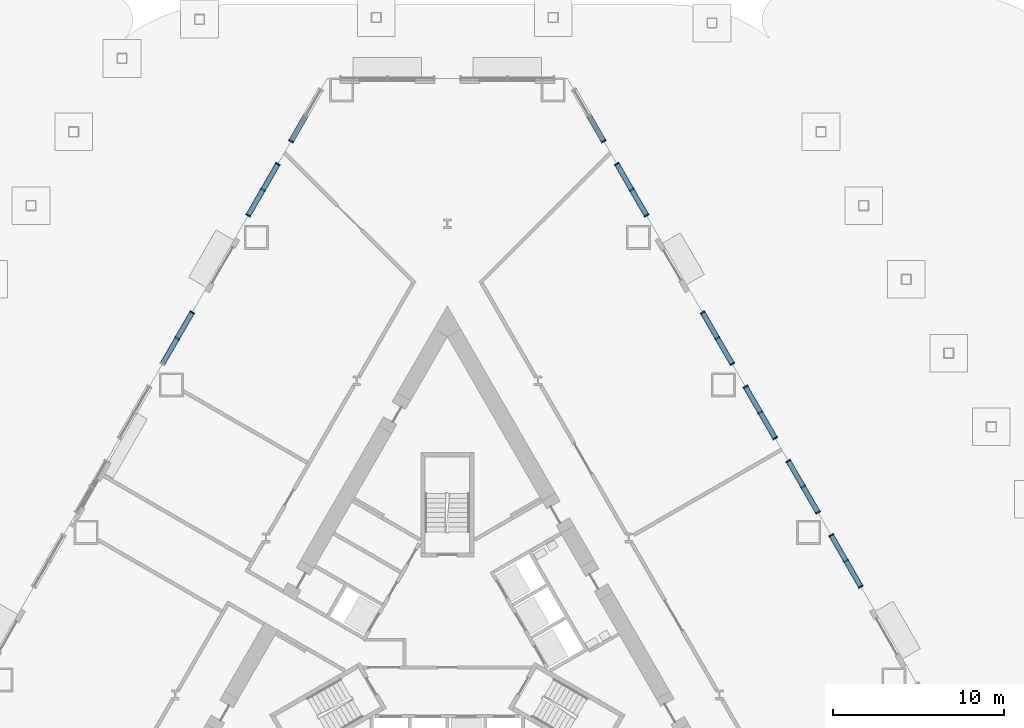
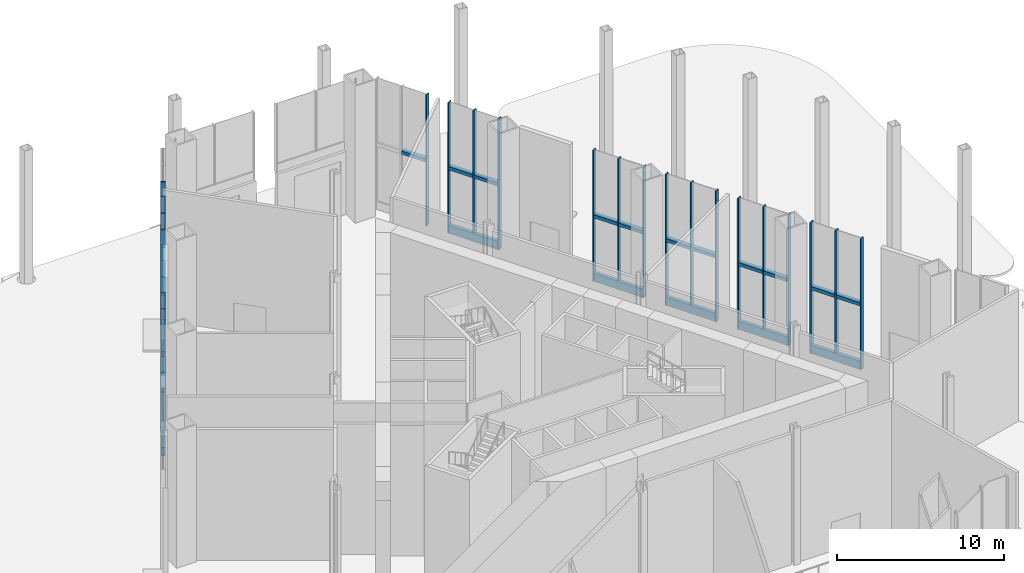
# One storey, part 4 of 18: 45 members, 9 elements without a shape of their own.
"""IFC4 building model written with IfcOpenShell, lengths in metres."""

from ifc_helpers import new_model, si_unit, direction, frame, origin, origin_2d, place, context, subcontext, project, spatial, rectangle, extrude, material, layer, layer_set, material_profile, profile_set, type_object, element, aggregate, save


model = new_model("IFC4")

# Units and contexts
model_context = context("Model", 3, precision=1e-05, world=origin(), true_north=direction((0.0, 1.0)))
body_context = subcontext(model_context, "Body", "Model", "MODEL_VIEW")
ifc_project = project(units=[si_unit("LENGTHUNIT", "METRE"), si_unit("AREAUNIT", "SQUARE_METRE"), si_unit("VOLUMEUNIT", "CUBIC_METRE"), si_unit("PLANEANGLEUNIT", "RADIAN"), si_unit("MASSUNIT", "GRAM", prefix="KILO")], contexts=[model_context])

# Site, building, storey
site_placement = place(None, origin())
site = spatial("IfcSite", under=ifc_project, at=site_placement, CompositionType="ELEMENT")
building_placement = place(site_placement, origin())
building = spatial("IfcBuilding", under=site, at=building_placement, Name="Cormorant Prow Tower", CompositionType="ELEMENT")
storey_placement = place(building_placement, origin())
storey = spatial("IfcBuildingStorey", under=building, at=storey_placement, Name="L00", CompositionType="ELEMENT", Elevation=0.0)

# Curtain wall, members
ifc_material_1 = material(Name="Aluminium 6063-T6", Category="aluminium")
ifc_layer = layer(ifc_material_1, 0.300048828125)
ifc_layer_set = layer_set([ifc_layer], Name="Aluminium 6063-T6")
curtain_wall_type = type_object("IfcCurtainWallType", Name="Concourse unitised curtain wall 300", PredefinedType="NOTDEFINED", material=ifc_layer_set)
curtain_wall_1_placement = place(storey_placement, origin())
curtain_wall_1 = element("IfcCurtainWall", 1, at=curtain_wall_1_placement, inside=storey, type_object=curtain_wall_type, Name="Concourse curtain wall ENE03", PredefinedType="NOTDEFINED")
ifc_material_2 = material(Name="Aluminium 6063-T6", Category="aluminium")
ifc_material_profile_1 = material_profile(ifc_material_2, rectangle(XDim=0.300048828125, YDim=0.239990234375, at=origin_2d()), Name="Concourse intermediate transom 300x240")
ifc_profile_set_1 = profile_set([ifc_material_profile_1], Name="Aluminium 6063-T6")
member_type_1 = type_object("IfcMemberType", Name="Concourse intermediate transom 300x240", PredefinedType="USERDEFINED", material=ifc_profile_set_1)
member_1_placement = place(storey_placement, frame((24.094970703125, 3.299560546875, 4.77490234375), z_axis=(-0.499974350878, 0.866040211805, 0.0), x_axis=(-0.866040211805, -0.499974350878, 0.0)))
member_1 = element("IfcMember", 2, at=member_1_placement, type_object=member_type_1, Name="Concourse intermediate transom ENE03", ObjectType="TRANSOM", PredefinedType="USERDEFINED", context=body_context, shape_type="SweptSolid", body=[
    extrude(rectangle(XDim=0.300048828125, YDim=0.239990234375, at=origin_2d()), origin(), (0.0, 0.0, 1.0), 1.64990234375),
])
member_2_placement = place(storey_placement, frame((23.22998046875, 4.7978515625, 4.77490234375), z_axis=(-0.499974350878, 0.866040211805, 0.0), x_axis=(-0.866040211805, -0.499974350878, 0.0)))
member_2 = element("IfcMember", 3, at=member_2_placement, type_object=member_type_1, Name="Concourse intermediate transom ENE03", ObjectType="TRANSOM", PredefinedType="USERDEFINED", context=body_context, shape_type="SweptSolid", body=[
    extrude(rectangle(XDim=0.300048828125, YDim=0.239990234375, at=origin_2d()), origin(), (0.0, 0.0, 1.0), 1.64990234375),
])

curtain_wall_2_placement = place(storey_placement, origin())
curtain_wall_2 = element("IfcCurtainWall", 4, at=curtain_wall_2_placement, inside=storey, type_object=curtain_wall_type, Name="Concourse curtain wall ENE04", PredefinedType="NOTDEFINED")
member_3_placement = place(storey_placement, frame((21.594970703125, 7.629638671875, 4.77490234375), z_axis=(-0.499974350878, 0.866040211805, 0.0), x_axis=(-0.866040211805, -0.499974350878, 0.0)))
member_3 = element("IfcMember", 5, at=member_3_placement, type_object=member_type_1, Name="Concourse intermediate transom ENE04", ObjectType="TRANSOM", PredefinedType="USERDEFINED", context=body_context, shape_type="SweptSolid", body=[
    extrude(rectangle(XDim=0.300048828125, YDim=0.239990234375, at=origin_2d()), origin(), (0.0, 0.0, 1.0), 1.64990234375),
])
member_4_placement = place(storey_placement, frame((20.72998046875, 9.1279296875, 4.77490234375), z_axis=(-0.499974350878, 0.866040211805, 0.0), x_axis=(-0.866040211805, -0.499974350878, 0.0)))
member_4 = element("IfcMember", 6, at=member_4_placement, type_object=member_type_1, Name="Concourse intermediate transom ENE04", ObjectType="TRANSOM", PredefinedType="USERDEFINED", context=body_context, shape_type="SweptSolid", body=[
    extrude(rectangle(XDim=0.300048828125, YDim=0.239990234375, at=origin_2d()), origin(), (0.0, 0.0, 1.0), 1.64990234375),
])

curtain_wall_3_placement = place(storey_placement, origin())
curtain_wall_3 = element("IfcCurtainWall", 7, at=curtain_wall_3_placement, inside=storey, type_object=curtain_wall_type, Name="Concourse curtain wall ENE05", PredefinedType="NOTDEFINED")
member_5_placement = place(storey_placement, frame((19.094970703125, 11.959716796875, 4.77490234375), z_axis=(-0.499974350878, 0.866040211805, 0.0), x_axis=(-0.866040211805, -0.499974350878, 0.0)))
member_5 = element("IfcMember", 8, at=member_5_placement, type_object=member_type_1, Name="Concourse intermediate transom ENE05", ObjectType="TRANSOM", PredefinedType="USERDEFINED", context=body_context, shape_type="SweptSolid", body=[
    extrude(rectangle(XDim=0.300048828125, YDim=0.239990234375, at=origin_2d()), origin(), (0.0, 0.0, 1.0), 1.64990234375),
])
member_6_placement = place(storey_placement, frame((18.22998046875, 13.4580078125, 4.77490234375), z_axis=(-0.499974350878, 0.866040211805, 0.0), x_axis=(-0.866040211805, -0.499974350878, 0.0)))
member_6 = element("IfcMember", 9, at=member_6_placement, type_object=member_type_1, Name="Concourse intermediate transom ENE05", ObjectType="TRANSOM", PredefinedType="USERDEFINED", context=body_context, shape_type="SweptSolid", body=[
    extrude(rectangle(XDim=0.300048828125, YDim=0.239990234375, at=origin_2d()), origin(), (0.0, 0.0, 1.0), 1.64990234375),
])

curtain_wall_4_placement = place(storey_placement, origin())
curtain_wall_4 = element("IfcCurtainWall", 10, at=curtain_wall_4_placement, inside=storey, type_object=curtain_wall_type, Name="Concourse curtain wall ENE06", PredefinedType="NOTDEFINED")
member_7_placement = place(storey_placement, frame((16.594970703125, 16.2900390625, 4.77490234375), z_axis=(-0.499974350878, 0.866040211805, 0.0), x_axis=(-0.866040211805, -0.499974350878, 0.0)))
member_7 = element("IfcMember", 11, at=member_7_placement, type_object=member_type_1, Name="Concourse intermediate transom ENE06", ObjectType="TRANSOM", PredefinedType="USERDEFINED", context=body_context, shape_type="SweptSolid", body=[
    extrude(rectangle(XDim=0.300048828125, YDim=0.239990234375, at=origin_2d()), origin(), (0.0, 0.0, 1.0), 1.64990234375),
])
member_8_placement = place(storey_placement, frame((15.72998046875, 17.7880859375, 4.77490234375), z_axis=(-0.499974350878, 0.866040211805, 0.0), x_axis=(-0.866040211805, -0.499974350878, 0.0)))
member_8 = element("IfcMember", 12, at=member_8_placement, type_object=member_type_1, Name="Concourse intermediate transom ENE06", ObjectType="TRANSOM", PredefinedType="USERDEFINED", context=body_context, shape_type="SweptSolid", body=[
    extrude(rectangle(XDim=0.300048828125, YDim=0.239990234375, at=origin_2d()), origin(), (0.0, 0.0, 1.0), 1.64990234375),
])

curtain_wall_5_placement = place(storey_placement, origin())
curtain_wall_5 = element("IfcCurtainWall", 13, at=curtain_wall_5_placement, inside=storey, type_object=curtain_wall_type, Name="Concourse curtain wall ENE08", PredefinedType="NOTDEFINED")
member_9_placement = place(storey_placement, frame((11.594970703125, 24.9501953125, 4.77490234375), z_axis=(-0.499974350878, 0.866040211805, 0.0), x_axis=(-0.866040211805, -0.499974350878, 0.0)))
member_9 = element("IfcMember", 14, at=member_9_placement, type_object=member_type_1, Name="Concourse intermediate transom ENE08", ObjectType="TRANSOM", PredefinedType="USERDEFINED", context=body_context, shape_type="SweptSolid", body=[
    extrude(rectangle(XDim=0.300048828125, YDim=0.239990234375, at=origin_2d()), origin(), (0.0, 0.0, 1.0), 1.64990234375),
])
member_10_placement = place(storey_placement, frame((10.72998046875, 26.448486328125, 4.77490234375), z_axis=(-0.499974350878, 0.866040211805, 0.0), x_axis=(-0.866040211805, -0.499974350878, 0.0)))
member_10 = element("IfcMember", 15, at=member_10_placement, type_object=member_type_1, Name="Concourse intermediate transom ENE08", ObjectType="TRANSOM", PredefinedType="USERDEFINED", context=body_context, shape_type="SweptSolid", body=[
    extrude(rectangle(XDim=0.300048828125, YDim=0.239990234375, at=origin_2d()), origin(), (0.0, 0.0, 1.0), 1.64990234375),
])

# Curtain wall, member
curtain_wall_6_placement = place(storey_placement, origin())
curtain_wall_6 = element("IfcCurtainWall", 16, at=curtain_wall_6_placement, inside=storey, type_object=curtain_wall_type, Name="Concourse curtain wall ENE09", PredefinedType="NOTDEFINED")
member_11_placement = place(storey_placement, frame((9.094970703125, 29.2802734375, 4.77490234375), z_axis=(-0.499974350878, 0.866040211805, 0.0), x_axis=(-0.866040211805, -0.499974350878, 0.0)))
member_11 = element("IfcMember", 17, at=member_11_placement, type_object=member_type_1, Name="Concourse intermediate transom ENE09", ObjectType="TRANSOM", PredefinedType="USERDEFINED", context=body_context, shape_type="SweptSolid", body=[
    extrude(rectangle(XDim=0.300048828125, YDim=0.239990234375, at=origin_2d()), origin(), (0.0, 0.0, 1.0), 1.64990234375),
])

curtain_wall_7_placement = place(storey_placement, origin())
curtain_wall_7 = element("IfcCurtainWall", 18, at=curtain_wall_7_placement, inside=storey, type_object=curtain_wall_type, Name="Concourse curtain wall WNW00", PredefinedType="NOTDEFINED")
member_12_placement = place(storey_placement, frame((-8.27001953125, 30.709228515625, 4.77490234375), z_axis=(-0.499974350878, -0.866040211805, 0.0), x_axis=(0.866040211805, -0.499974350878, 0.0)))
member_12 = element("IfcMember", 19, at=member_12_placement, type_object=member_type_1, Name="Concourse intermediate transom WNW00", ObjectType="TRANSOM", PredefinedType="USERDEFINED", context=body_context, shape_type="SweptSolid", body=[
    extrude(rectangle(XDim=0.300048828125, YDim=0.239990234375, at=origin_2d()), origin(), (0.0, 0.0, 1.0), 1.64990234375),
])

# Curtain wall, members
curtain_wall_8_placement = place(storey_placement, origin())
curtain_wall_8 = element("IfcCurtainWall", 20, at=curtain_wall_8_placement, inside=storey, type_object=curtain_wall_type, Name="Concourse curtain wall WNW01", PredefinedType="NOTDEFINED")
member_13_placement = place(storey_placement, frame((-9.905029296875, 27.87744140625, 4.77490234375), z_axis=(-0.499974350878, -0.866040211805, 0.0), x_axis=(0.866040211805, -0.499974350878, 0.0)))
member_13 = element("IfcMember", 21, at=member_13_placement, type_object=member_type_1, Name="Concourse intermediate transom WNW01", ObjectType="TRANSOM", PredefinedType="USERDEFINED", context=body_context, shape_type="SweptSolid", body=[
    extrude(rectangle(XDim=0.300048828125, YDim=0.239990234375, at=origin_2d()), origin(), (0.0, 0.0, 1.0), 1.64990234375),
])
member_14_placement = place(storey_placement, frame((-10.77001953125, 26.379150390625, 4.77490234375), z_axis=(-0.499974350878, -0.866040211805, 0.0), x_axis=(0.866040211805, -0.499974350878, 0.0)))
member_14 = element("IfcMember", 22, at=member_14_placement, type_object=member_type_1, Name="Concourse intermediate transom WNW01", ObjectType="TRANSOM", PredefinedType="USERDEFINED", context=body_context, shape_type="SweptSolid", body=[
    extrude(rectangle(XDim=0.300048828125, YDim=0.239990234375, at=origin_2d()), origin(), (0.0, 0.0, 1.0), 1.64990234375),
])

curtain_wall_9_placement = place(storey_placement, origin())
curtain_wall_9 = element("IfcCurtainWall", 23, at=curtain_wall_9_placement, inside=storey, type_object=curtain_wall_type, Name="Concourse curtain wall WNW03", PredefinedType="NOTDEFINED")
member_15_placement = place(storey_placement, frame((-14.905029296875, 19.217041015625, 4.77490234375), z_axis=(-0.499974350878, -0.866040211805, 0.0), x_axis=(0.866040211805, -0.499974350878, 0.0)))
member_15 = element("IfcMember", 24, at=member_15_placement, type_object=member_type_1, Name="Concourse intermediate transom WNW03", ObjectType="TRANSOM", PredefinedType="USERDEFINED", context=body_context, shape_type="SweptSolid", body=[
    extrude(rectangle(XDim=0.300048828125, YDim=0.239990234375, at=origin_2d()), origin(), (0.0, 0.0, 1.0), 1.64990234375),
])
member_16_placement = place(storey_placement, frame((-15.77001953125, 17.718994140625, 4.77490234375), z_axis=(-0.499974350878, -0.866040211805, 0.0), x_axis=(0.866040211805, -0.499974350878, 0.0)))
member_16 = element("IfcMember", 25, at=member_16_placement, type_object=member_type_1, Name="Concourse intermediate transom WNW03", ObjectType="TRANSOM", PredefinedType="USERDEFINED", context=body_context, shape_type="SweptSolid", body=[
    extrude(rectangle(XDim=0.300048828125, YDim=0.239990234375, at=origin_2d()), origin(), (0.0, 0.0, 1.0), 1.64990234375),
])

# Member
ifc_material_3 = material(Name="Aluminium 6063-T6", Category="aluminium")
ifc_material_profile_2 = material_profile(ifc_material_3, rectangle(XDim=0.300048828125, YDim=0.080078125, at=origin_2d()), Name="Concourse mullion 80x300")
ifc_profile_set_2 = profile_set([ifc_material_profile_2], Name="Aluminium 6063-T6")
member_type_2 = type_object("IfcMemberType", Name="Concourse mullion 80x300", PredefinedType="MULLION", material=ifc_profile_set_2)
member_17_placement = place(storey_placement, frame((24.114990234375, 3.264892578125, 0.0), z_axis=(0.0, 0.0, 1.0), x_axis=(-0.866025402842, -0.500000001632, 0.0)))
member_17 = element("IfcMember", 26, at=member_17_placement, type_object=member_type_2, Name="Concourse mullion ENE03", PredefinedType="MULLION", context=body_context, shape_type="SweptSolid", body=[
    extrude(rectangle(XDim=0.300048828125, YDim=0.080078125, at=origin_2d()), origin(), (0.0, 0.0, 1.0), 9.550048828125),
])

member_18_placement = place(storey_placement, frame((23.25, 4.76318359375, 0.60009765625), z_axis=(0.0, 0.0, 1.0), x_axis=(-0.866025402842, -0.500000001632, 0.0)))
member_18 = element("IfcMember", 27, at=member_18_placement, type_object=member_type_2, Name="Concourse mullion ENE03", PredefinedType="MULLION", context=body_context, shape_type="SweptSolid", body=[
    extrude(rectangle(XDim=0.300048828125, YDim=0.080078125, at=origin_2d()), origin(), (0.0, 0.0, 1.0), 8.949951171875),
])

member_19_placement = place(storey_placement, frame((22.385009765625, 6.261474609375, 0.0), z_axis=(0.0, 0.0, 1.0), x_axis=(-0.866025402842, -0.500000001632, 0.0)))
member_19 = element("IfcMember", 28, at=member_19_placement, type_object=member_type_2, Name="Concourse mullion ENE03", PredefinedType="MULLION", context=body_context, shape_type="SweptSolid", body=[
    extrude(rectangle(XDim=0.300048828125, YDim=0.080078125, at=origin_2d()), origin(), (0.0, 0.0, 1.0), 9.550048828125),
])

member_20_placement = place(storey_placement, frame((21.614990234375, 7.594970703125, 0.0), z_axis=(0.0, 0.0, 1.0), x_axis=(-0.866025402842, -0.500000001632, 0.0)))
member_20 = element("IfcMember", 29, at=member_20_placement, type_object=member_type_2, Name="Concourse mullion ENE04", PredefinedType="MULLION", context=body_context, shape_type="SweptSolid", body=[
    extrude(rectangle(XDim=0.300048828125, YDim=0.080078125, at=origin_2d()), origin(), (0.0, 0.0, 1.0), 9.550048828125),
])

member_21_placement = place(storey_placement, frame((20.75, 9.09326171875, 0.60009765625), z_axis=(0.0, 0.0, 1.0), x_axis=(-0.866025402842, -0.500000001632, 0.0)))
member_21 = element("IfcMember", 30, at=member_21_placement, type_object=member_type_2, Name="Concourse mullion ENE04", PredefinedType="MULLION", context=body_context, shape_type="SweptSolid", body=[
    extrude(rectangle(XDim=0.300048828125, YDim=0.080078125, at=origin_2d()), origin(), (0.0, 0.0, 1.0), 8.949951171875),
])

member_22_placement = place(storey_placement, frame((19.885009765625, 10.591552734375, 0.0), z_axis=(0.0, 0.0, 1.0), x_axis=(-0.866025402842, -0.500000001632, 0.0)))
member_22 = element("IfcMember", 31, at=member_22_placement, type_object=member_type_2, Name="Concourse mullion ENE04", PredefinedType="MULLION", context=body_context, shape_type="SweptSolid", body=[
    extrude(rectangle(XDim=0.300048828125, YDim=0.080078125, at=origin_2d()), origin(), (0.0, 0.0, 1.0), 9.550048828125),
])

member_23_placement = place(storey_placement, frame((19.114990234375, 11.925048828125, 0.0), z_axis=(0.0, 0.0, 1.0), x_axis=(-0.866025402842, -0.500000001632, 0.0)))
member_23 = element("IfcMember", 32, at=member_23_placement, type_object=member_type_2, Name="Concourse mullion ENE05", PredefinedType="MULLION", context=body_context, shape_type="SweptSolid", body=[
    extrude(rectangle(XDim=0.300048828125, YDim=0.080078125, at=origin_2d()), origin(), (0.0, 0.0, 1.0), 9.550048828125),
])

member_24_placement = place(storey_placement, frame((18.25, 13.42333984375, 0.60009765625), z_axis=(0.0, 0.0, 1.0), x_axis=(-0.866025402842, -0.500000001632, 0.0)))
member_24 = element("IfcMember", 33, at=member_24_placement, type_object=member_type_2, Name="Concourse mullion ENE05", PredefinedType="MULLION", context=body_context, shape_type="SweptSolid", body=[
    extrude(rectangle(XDim=0.300048828125, YDim=0.080078125, at=origin_2d()), origin(), (0.0, 0.0, 1.0), 8.949951171875),
])

member_25_placement = place(storey_placement, frame((17.385009765625, 14.921630859375, 0.0), z_axis=(0.0, 0.0, 1.0), x_axis=(-0.866025402842, -0.500000001632, 0.0)))
member_25 = element("IfcMember", 34, at=member_25_placement, type_object=member_type_2, Name="Concourse mullion ENE05", PredefinedType="MULLION", context=body_context, shape_type="SweptSolid", body=[
    extrude(rectangle(XDim=0.300048828125, YDim=0.080078125, at=origin_2d()), origin(), (0.0, 0.0, 1.0), 9.550048828125),
])

member_26_placement = place(storey_placement, frame((16.614990234375, 16.25537109375, 0.0), z_axis=(0.0, 0.0, 1.0), x_axis=(-0.866025402842, -0.500000001632, 0.0)))
member_26 = element("IfcMember", 35, at=member_26_placement, type_object=member_type_2, Name="Concourse mullion ENE06", PredefinedType="MULLION", context=body_context, shape_type="SweptSolid", body=[
    extrude(rectangle(XDim=0.300048828125, YDim=0.080078125, at=origin_2d()), origin(), (0.0, 0.0, 1.0), 9.550048828125),
])

member_27_placement = place(storey_placement, frame((15.75, 17.75341796875, 0.60009765625), z_axis=(0.0, 0.0, 1.0), x_axis=(-0.866025402842, -0.500000001632, 0.0)))
member_27 = element("IfcMember", 36, at=member_27_placement, type_object=member_type_2, Name="Concourse mullion ENE06", PredefinedType="MULLION", context=body_context, shape_type="SweptSolid", body=[
    extrude(rectangle(XDim=0.300048828125, YDim=0.080078125, at=origin_2d()), origin(), (0.0, 0.0, 1.0), 8.949951171875),
])

member_28_placement = place(storey_placement, frame((14.885009765625, 19.251708984375, 0.0), z_axis=(0.0, 0.0, 1.0), x_axis=(-0.866025402842, -0.500000001632, 0.0)))
member_28 = element("IfcMember", 37, at=member_28_placement, type_object=member_type_2, Name="Concourse mullion ENE06", PredefinedType="MULLION", context=body_context, shape_type="SweptSolid", body=[
    extrude(rectangle(XDim=0.300048828125, YDim=0.080078125, at=origin_2d()), origin(), (0.0, 0.0, 1.0), 9.550048828125),
])

member_29_placement = place(storey_placement, frame((11.614990234375, 24.91552734375, 0.0), z_axis=(0.0, 0.0, 1.0), x_axis=(-0.866025402842, -0.500000001632, 0.0)))
member_29 = element("IfcMember", 38, at=member_29_placement, type_object=member_type_2, Name="Concourse mullion ENE08", PredefinedType="MULLION", context=body_context, shape_type="SweptSolid", body=[
    extrude(rectangle(XDim=0.300048828125, YDim=0.080078125, at=origin_2d()), origin(), (0.0, 0.0, 1.0), 9.550048828125),
])

member_30_placement = place(storey_placement, frame((10.75, 26.413818359375, 0.60009765625), z_axis=(0.0, 0.0, 1.0), x_axis=(-0.866025402842, -0.500000001632, 0.0)))
member_30 = element("IfcMember", 39, at=member_30_placement, type_object=member_type_2, Name="Concourse mullion ENE08", PredefinedType="MULLION", context=body_context, shape_type="SweptSolid", body=[
    extrude(rectangle(XDim=0.300048828125, YDim=0.080078125, at=origin_2d()), origin(), (0.0, 0.0, 1.0), 8.949951171875),
])

member_31_placement = place(storey_placement, frame((9.885009765625, 27.912109375, 0.0), z_axis=(0.0, 0.0, 1.0), x_axis=(-0.866025402842, -0.500000001632, 0.0)))
member_31 = element("IfcMember", 40, at=member_31_placement, type_object=member_type_2, Name="Concourse mullion ENE08", PredefinedType="MULLION", context=body_context, shape_type="SweptSolid", body=[
    extrude(rectangle(XDim=0.300048828125, YDim=0.080078125, at=origin_2d()), origin(), (0.0, 0.0, 1.0), 9.550048828125),
])

member_32_placement = place(storey_placement, frame((9.114990234375, 29.24560546875, 0.0), z_axis=(0.0, 0.0, 1.0), x_axis=(-0.866025402842, -0.500000001632, 0.0)))
member_32 = element("IfcMember", 41, at=member_32_placement, type_object=member_type_2, Name="Concourse mullion ENE09", PredefinedType="MULLION", context=body_context, shape_type="SweptSolid", body=[
    extrude(rectangle(XDim=0.300048828125, YDim=0.080078125, at=origin_2d()), origin(), (0.0, 0.0, 1.0), 9.550048828125),
])

aggregate(curtain_wall_6, [member_32, member_11])

member_33_placement = place(storey_placement, frame((-9.114990234375, 29.24560546875, 0.0), z_axis=(0.0, 0.0, 1.0), x_axis=(0.866025402842, -0.500000001632, 0.0)))
member_33 = element("IfcMember", 42, at=member_33_placement, type_object=member_type_2, Name="Concourse mullion WNW00", PredefinedType="MULLION", context=body_context, shape_type="SweptSolid", body=[
    extrude(rectangle(XDim=0.300048828125, YDim=0.080078125, at=origin_2d()), origin(), (0.0, 0.0, 1.0), 9.550048828125),
])

aggregate(curtain_wall_7, [member_33, member_12])

member_34_placement = place(storey_placement, frame((-9.885009765625, 27.912109375, 0.0), z_axis=(0.0, 0.0, 1.0), x_axis=(0.866025402842, -0.500000001632, 0.0)))
member_34 = element("IfcMember", 43, at=member_34_placement, type_object=member_type_2, Name="Concourse mullion WNW01", PredefinedType="MULLION", context=body_context, shape_type="SweptSolid", body=[
    extrude(rectangle(XDim=0.300048828125, YDim=0.080078125, at=origin_2d()), origin(), (0.0, 0.0, 1.0), 9.550048828125),
])

member_35_placement = place(storey_placement, frame((-10.75, 26.413818359375, 0.60009765625), z_axis=(0.0, 0.0, 1.0), x_axis=(0.866025402842, -0.500000001632, 0.0)))
member_35 = element("IfcMember", 44, at=member_35_placement, type_object=member_type_2, Name="Concourse mullion WNW01", PredefinedType="MULLION", context=body_context, shape_type="SweptSolid", body=[
    extrude(rectangle(XDim=0.300048828125, YDim=0.080078125, at=origin_2d()), origin(), (0.0, 0.0, 1.0), 8.949951171875),
])

member_36_placement = place(storey_placement, frame((-11.614990234375, 24.91552734375, 0.0), z_axis=(0.0, 0.0, 1.0), x_axis=(0.866025402842, -0.500000001632, 0.0)))
member_36 = element("IfcMember", 45, at=member_36_placement, type_object=member_type_2, Name="Concourse mullion WNW01", PredefinedType="MULLION", context=body_context, shape_type="SweptSolid", body=[
    extrude(rectangle(XDim=0.300048828125, YDim=0.080078125, at=origin_2d()), origin(), (0.0, 0.0, 1.0), 9.550048828125),
])

member_37_placement = place(storey_placement, frame((-14.885009765625, 19.251708984375, 0.0), z_axis=(0.0, 0.0, 1.0), x_axis=(0.866025402842, -0.500000001632, 0.0)))
member_37 = element("IfcMember", 46, at=member_37_placement, type_object=member_type_2, Name="Concourse mullion WNW03", PredefinedType="MULLION", context=body_context, shape_type="SweptSolid", body=[
    extrude(rectangle(XDim=0.300048828125, YDim=0.080078125, at=origin_2d()), origin(), (0.0, 0.0, 1.0), 9.550048828125),
])

member_38_placement = place(storey_placement, frame((-15.75, 17.75341796875, 0.60009765625), z_axis=(0.0, 0.0, 1.0), x_axis=(0.866025402842, -0.500000001632, 0.0)))
member_38 = element("IfcMember", 47, at=member_38_placement, type_object=member_type_2, Name="Concourse mullion WNW03", PredefinedType="MULLION", context=body_context, shape_type="SweptSolid", body=[
    extrude(rectangle(XDim=0.300048828125, YDim=0.080078125, at=origin_2d()), origin(), (0.0, 0.0, 1.0), 8.949951171875),
])

ifc_material_4 = material(Name="Terracotta", Category="masonry")
ifc_material_profile_3 = material_profile(ifc_material_4, rectangle(XDim=0.239990234375, YDim=0.60009765625, at=origin_2d()), Name="Concourse terracotta spandrel rail 240x600")
ifc_profile_set_3 = profile_set([ifc_material_profile_3], Name="Terracotta")
member_type_3 = type_object("IfcMemberType", Name="Concourse terracotta spandrel rail 240x600", PredefinedType="USERDEFINED", material=ifc_profile_set_3)
member_39_placement = place(storey_placement, frame((24.094970703125, 3.299560546875, 0.300048828125), z_axis=(-0.499976720371, 0.866038843867, 0.0), x_axis=(-0.866038843867, -0.499976720371, 0.0)))
member_39 = element("IfcMember", 48, at=member_39_placement, type_object=member_type_3, Name="Concourse spandrel rail ENE03", ObjectType="TRANSOM", PredefinedType="USERDEFINED", context=body_context, shape_type="SweptSolid", body=[
    extrude(rectangle(XDim=0.239990234375, YDim=0.60009765625, at=origin_2d()), origin(), (0.0, 0.0, 1.0), 3.380126953125),
])

aggregate(curtain_wall_1, [member_17, member_18, member_19, member_39, member_1, member_2])

member_40_placement = place(storey_placement, frame((21.594970703125, 7.629638671875, 0.300048828125), z_axis=(-0.499976720371, 0.866038843867, 0.0), x_axis=(-0.866038843867, -0.499976720371, 0.0)))
member_40 = element("IfcMember", 49, at=member_40_placement, type_object=member_type_3, Name="Concourse spandrel rail ENE04", ObjectType="TRANSOM", PredefinedType="USERDEFINED", context=body_context, shape_type="SweptSolid", body=[
    extrude(rectangle(XDim=0.239990234375, YDim=0.60009765625, at=origin_2d()), origin(), (0.0, 0.0, 1.0), 3.380126953125),
])

aggregate(curtain_wall_2, [member_20, member_21, member_22, member_40, member_3, member_4])

member_41_placement = place(storey_placement, frame((19.094970703125, 11.959716796875, 0.300048828125), z_axis=(-0.499976720371, 0.866038843867, 0.0), x_axis=(-0.866038843867, -0.499976720371, 0.0)))
member_41 = element("IfcMember", 50, at=member_41_placement, type_object=member_type_3, Name="Concourse spandrel rail ENE05", ObjectType="TRANSOM", PredefinedType="USERDEFINED", context=body_context, shape_type="SweptSolid", body=[
    extrude(rectangle(XDim=0.239990234375, YDim=0.60009765625, at=origin_2d()), origin(), (0.0, 0.0, 1.0), 3.380126953125),
])

aggregate(curtain_wall_3, [member_23, member_24, member_25, member_41, member_5, member_6])

member_42_placement = place(storey_placement, frame((16.594970703125, 16.2900390625, 0.300048828125), z_axis=(-0.500007997579, 0.866020786331, 0.0), x_axis=(-0.866020786331, -0.500007997579, 0.0)))
member_42 = element("IfcMember", 51, at=member_42_placement, type_object=member_type_3, Name="Concourse spandrel rail ENE06", ObjectType="TRANSOM", PredefinedType="USERDEFINED", context=body_context, shape_type="SweptSolid", body=[
    extrude(rectangle(XDim=0.239990234375, YDim=0.60009765625, at=origin_2d()), origin(), (0.0, 0.0, 1.0), 3.3798828125),
])

aggregate(curtain_wall_4, [member_26, member_27, member_28, member_42, member_7, member_8])

member_43_placement = place(storey_placement, frame((11.594970703125, 24.9501953125, 0.300048828125), z_axis=(-0.499976720371, 0.866038843867, 0.0), x_axis=(-0.866038843867, -0.499976720371, 0.0)))
member_43 = element("IfcMember", 52, at=member_43_placement, type_object=member_type_3, Name="Concourse spandrel rail ENE08", ObjectType="TRANSOM", PredefinedType="USERDEFINED", context=body_context, shape_type="SweptSolid", body=[
    extrude(rectangle(XDim=0.239990234375, YDim=0.60009765625, at=origin_2d()), origin(), (0.0, 0.0, 1.0), 3.380126953125),
])

aggregate(curtain_wall_5, [member_29, member_30, member_31, member_43, member_9, member_10])

member_44_placement = place(storey_placement, frame((-9.905029296875, 27.87744140625, 0.300048828125), z_axis=(-0.499976720371, -0.866038843867, 0.0), x_axis=(0.866038843867, -0.499976720371, 0.0)))
member_44 = element("IfcMember", 53, at=member_44_placement, type_object=member_type_3, Name="Concourse spandrel rail WNW01", ObjectType="TRANSOM", PredefinedType="USERDEFINED", context=body_context, shape_type="SweptSolid", body=[
    extrude(rectangle(XDim=0.239990234375, YDim=0.60009765625, at=origin_2d()), origin(), (0.0, 0.0, 1.0), 3.380126953125),
])

aggregate(curtain_wall_8, [member_34, member_35, member_36, member_44, member_13, member_14])

member_45_placement = place(storey_placement, frame((-14.905029296875, 19.217041015625, 0.300048828125), z_axis=(-0.500007997579, -0.866020786331, 0.0), x_axis=(0.866020786331, -0.500007997579, 0.0)))
member_45 = element("IfcMember", 54, at=member_45_placement, type_object=member_type_3, Name="Concourse spandrel rail WNW03", ObjectType="TRANSOM", PredefinedType="USERDEFINED", context=body_context, shape_type="SweptSolid", body=[
    extrude(rectangle(XDim=0.239990234375, YDim=0.60009765625, at=origin_2d()), origin(), (0.0, 0.0, 1.0), 3.3798828125),
])

aggregate(curtain_wall_9, [member_37, member_38, member_45, member_15, member_16])

save(model, "model.ifc")
